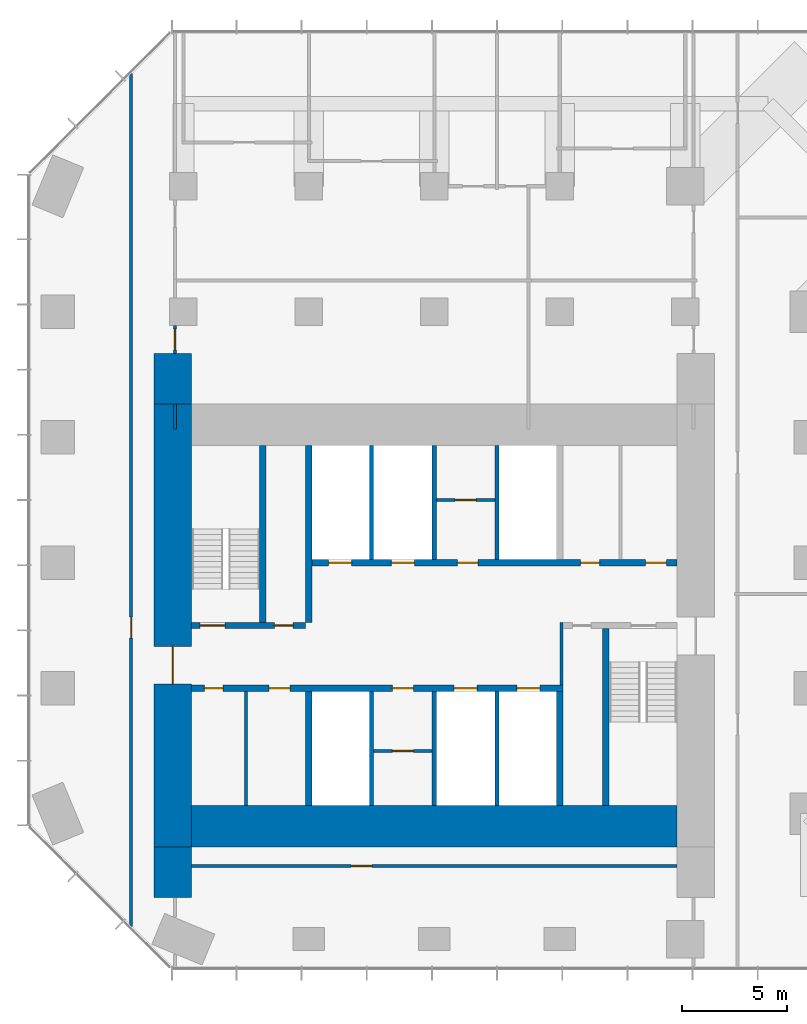
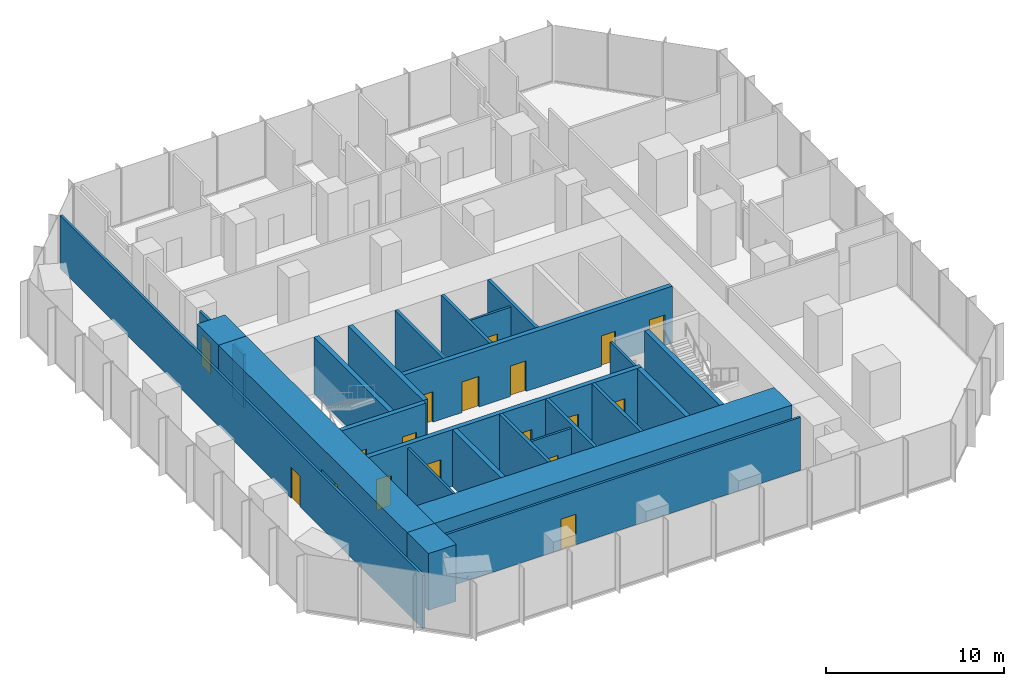
# One storey, part 8 of 11: 26 walls, 18 doors, 18 openings.
"""IFC4 building model written with IfcOpenShell, lengths in metres."""

from ifc_helpers import new_model, si_unit, direction, frame, frame_2d, origin, place, context, subcontext, project, spatial, rectangle, extrude, material, layer, layer_set, type_object, element, fill, save


model = new_model("IFC4")

# Units and contexts
model_context = context("Model", 3, precision=1e-05, world=origin(), true_north=direction((0.0, 1.0)))
body_context = subcontext(model_context, "Body", "Model", "MODEL_VIEW")
ifc_project = project(units=[si_unit("LENGTHUNIT", "METRE"), si_unit("AREAUNIT", "SQUARE_METRE"), si_unit("VOLUMEUNIT", "CUBIC_METRE"), si_unit("PLANEANGLEUNIT", "RADIAN"), si_unit("MASSUNIT", "GRAM", prefix="KILO")], contexts=[model_context])

# Site, building, storey
site_placement = place(None, origin())
site = spatial("IfcSite", under=ifc_project, at=site_placement, CompositionType="ELEMENT")
building_placement = place(site_placement, origin())
building = spatial("IfcBuilding", under=site, at=building_placement, Name="Highveld Stack Headquarters", CompositionType="ELEMENT")
storey_placement = place(building_placement, frame((0.0, 0.0, 181.10009765625)))
storey = spatial("IfcBuildingStorey", under=building, at=storey_placement, Name="L44", CompositionType="ELEMENT", Elevation=181.10009765625)

# Wall, opening, door
ifc_material_1 = material(Name="Concrete C60/75", Category="concrete")
ifc_layer_1 = layer(ifc_material_1, 1.800048828125)
ifc_layer_set_1 = layer_set([ifc_layer_1], Name="Concrete C60/75")
wall_type_1 = type_object("IfcWallType", Name="CORE WALL 1800 C60/75", PredefinedType="SHEAR", material=ifc_layer_set_1)
wall_1_placement = place(storey_placement, frame((-6.5, -7.60009765625, 0.0), z_axis=(0.0, 0.0, 1.0), x_axis=(0.0, 1.0, 0.0)))
wall_1 = element("IfcWall", 1, at=wall_1_placement, inside=storey, type_object=wall_type_1, Name="Core wall W L44", PredefinedType="SHEAR", context=body_context, shape_type="SweptSolid", body=[
    extrude(rectangle(XDim=21.2001953125, YDim=1.800048828125, at=frame_2d((10.60009765625, 0.0))), origin(), (0.0, 0.0, 1.0), 3.89990234375),
])
opening_1_placement = place(wall_1_placement, frame((7.800048828125, 0.0, 0.0)))
opening_1 = element("IfcOpeningElement", 2, at=opening_1_placement, cuts=wall_1, Name="Opening L44-01", PredefinedType="OPENING", context=body_context, shape_type="SweptSolid", body=[
    extrude(rectangle(XDim=1.800048828125, YDim=2.39990234375, at=frame_2d((0.89990234375, 1.199951171875))), frame((0.0, 0.909912109375, 0.0), z_axis=(0.0, -1.0, 0.0), x_axis=(1.0, 0.0, 0.0)), (0.0, 0.0, 1.0), 1.820068359375),
])
ifc_material_2 = material(Name="Steel fire door", Category="steel")
door_type_1 = type_object("IfcDoorType", Name="LOBBY FIRE DOOR D4 1800x2400", OperationType="DOUBLE_DOOR_SINGLE_SWING", PredefinedType="DOOR", material=ifc_material_2)
door_1_placement = place(opening_1_placement, origin())
door_1 = element("IfcDoor", 3, at=door_1_placement, inside=storey, type_object=door_type_1, Name="Core west door L44", OperationType="DOUBLE_DOOR_SINGLE_SWING", OverallHeight=2.39990234375, OverallWidth=1.800048828125, PredefinedType="DOOR", context=body_context, shape_type="SweptSolid", body=[
    extrude(rectangle(XDim=1.800048828125, YDim=2.39990234375, at=frame_2d((0.89990234375, 1.199951171875))), frame((0.0, 0.02490234375, 0.0), z_axis=(0.0, -1.0, 0.0), x_axis=(1.0, 0.0, 0.0)), (0.0, 0.0, 1.0), 0.050048828125),
])
fill(opening_1, door_1)

# Wall
ifc_material_3 = material(Name="Concrete C60/75", Category="concrete")
ifc_layer_2 = layer(ifc_material_3, 2.0)
ifc_layer_set_2 = layer_set([ifc_layer_2], Name="Concrete C60/75")
wall_type_2 = type_object("IfcWallType", Name="CORE WALL 2000 C60/75", PredefinedType="SHEAR", material=ifc_layer_set_2)
wall_2_placement = place(storey_placement, frame((-5.60009765625, -6.60009765625, 0.0), z_axis=(0.0, 0.0, 1.0), x_axis=(1.0, 0.0, 0.0)))
element("IfcWall", 4, at=wall_2_placement, inside=storey, type_object=wall_type_2, Name="Core wall S L44", PredefinedType="SHEAR", context=body_context, shape_type="SweptSolid", body=[
    extrude(rectangle(XDim=23.2001953125, YDim=2.0, at=frame_2d((11.60009765625, 0.0))), origin(), (0.0, 0.0, 1.0), 3.89990234375),
])

# Wall, openings, doors
ifc_material_4 = material(Name="Concrete C60/75", Category="concrete")
ifc_layer_3 = layer(ifc_material_4, 0.300048828125)
ifc_layer_set_3 = layer_set([ifc_layer_3], Name="Concrete C60/75")
wall_type_3 = type_object("IfcWallType", Name="CORE WALL 300 C60/75", PredefinedType="SHEAR", material=ifc_layer_set_3)
wall_3_placement = place(storey_placement, frame((-5.60009765625, 0.0, 0.0), z_axis=(0.0, 0.0, 1.0), x_axis=(1.0, 0.0, 0.0)))
wall_3 = element("IfcWall", 5, at=wall_3_placement, inside=storey, type_object=wall_type_3, Name="Core wall I-Y0 L44", PredefinedType="SHEAR", context=body_context, shape_type="SweptSolid", body=[
    extrude(rectangle(XDim=17.75, YDim=0.300048828125, at=frame_2d((8.875, 0.0))), origin(), (0.0, 0.0, 1.0), 3.89990234375),
])
opening_2_placement = place(wall_3_placement, frame((0.60009765625, 0.0, 0.0)))
opening_2 = element("IfcOpeningElement", 6, at=opening_2_placement, cuts=wall_3, Name="Opening L44-07", PredefinedType="OPENING", context=body_context, shape_type="SweptSolid", body=[
    extrude(rectangle(XDim=0.89990234375, YDim=2.10009765625, at=frame_2d((0.449951171875, 1.050048828125))), frame((0.0, 0.159912109375, 0.0), z_axis=(0.0, -1.0, 0.0), x_axis=(1.0, 0.0, 0.0)), (0.0, 0.0, 1.0), 0.320068359375),
])
opening_3_placement = place(wall_3_placement, frame((3.699951171875, 0.0, 0.0)))
opening_3 = element("IfcOpeningElement", 7, at=opening_3_placement, cuts=wall_3, Name="Opening L44-08", PredefinedType="OPENING", context=body_context, shape_type="SweptSolid", body=[
    extrude(rectangle(XDim=1.0, YDim=2.10009765625, at=frame_2d((0.5, 1.050048828125))), frame((0.0, 0.159912109375, 0.0), z_axis=(0.0, -1.0, 0.0), x_axis=(1.0, 0.0, 0.0)), (0.0, 0.0, 1.0), 0.320068359375),
])
opening_4_placement = place(wall_3_placement, frame((9.60009765625, 0.0, 0.0)))
opening_4 = element("IfcOpeningElement", 8, at=opening_4_placement, cuts=wall_3, Name="Opening L44-14", PredefinedType="OPENING", context=body_context, shape_type="SweptSolid", body=[
    extrude(rectangle(XDim=1.0, YDim=2.10009765625, at=frame_2d((0.5, 1.050048828125))), frame((0.0, 0.159912109375, 0.0), z_axis=(0.0, -1.0, 0.0), x_axis=(1.0, 0.0, 0.0)), (0.0, 0.0, 1.0), 0.320068359375),
])
opening_5_placement = place(wall_3_placement, frame((12.550048828125, 0.0, 0.0)))
opening_5 = element("IfcOpeningElement", 9, at=opening_5_placement, cuts=wall_3, Name="Opening LD", PredefinedType="OPENING", context=body_context, shape_type="SweptSolid", body=[
    extrude(rectangle(XDim=1.10009765625, YDim=2.10009765625, at=frame_2d((0.550048828125, 1.050048828125))), frame((0.0, 0.159912109375, 0.0), z_axis=(0.0, -1.0, 0.0), x_axis=(1.0, 0.0, 0.0)), (0.0, 0.0, 1.0), 0.320068359375),
])
opening_6_placement = place(wall_3_placement, frame((15.550048828125, 0.0, 0.0)))
opening_6 = element("IfcOpeningElement", 10, at=opening_6_placement, cuts=wall_3, Name="Opening LD", PredefinedType="OPENING", context=body_context, shape_type="SweptSolid", body=[
    extrude(rectangle(XDim=1.10009765625, YDim=2.10009765625, at=frame_2d((0.550048828125, 1.050048828125))), frame((0.0, 0.159912109375, 0.0), z_axis=(0.0, -1.0, 0.0), x_axis=(1.0, 0.0, 0.0)), (0.0, 0.0, 1.0), 0.320068359375),
])
ifc_material_5 = material(Name="Steel fire door", Category="steel")
door_type_2 = type_object("IfcDoorType", Name="CORE ROOM FIRE DOOR D14 1000x2100", OperationType="SINGLE_SWING_LEFT", PredefinedType="DOOR", material=ifc_material_5)
door_2_placement = place(opening_3_placement, origin())
door_2 = element("IfcDoor", 11, at=door_2_placement, inside=storey, type_object=door_type_2, Name="Cleaners store door L44", OperationType="SINGLE_SWING_LEFT", OverallHeight=2.10009765625, OverallWidth=1.0, PredefinedType="DOOR", context=body_context, shape_type="SweptSolid", body=[
    extrude(rectangle(XDim=1.0, YDim=2.10009765625, at=frame_2d((0.5, 1.050048828125))), frame((0.0, 0.02490234375, 0.0), z_axis=(0.0, -1.0, 0.0), x_axis=(1.0, 0.0, 0.0)), (0.0, 0.0, 1.0), 0.050048828125),
])
fill(opening_3, door_2)
door_3_placement = place(opening_4_placement, origin())
door_3 = element("IfcDoor", 12, at=door_3_placement, inside=storey, type_object=door_type_2, Name="Capped B 1 door L44", OperationType="SINGLE_SWING_RIGHT", OverallHeight=2.10009765625, OverallWidth=1.0, PredefinedType="DOOR", context=body_context, shape_type="SweptSolid", body=[
    extrude(rectangle(XDim=1.0, YDim=2.10009765625, at=frame_2d((0.5, 1.050048828125))), frame((0.0, 0.02490234375, 0.0), z_axis=(0.0, -1.0, 0.0), x_axis=(1.0, 0.0, 0.0)), (0.0, 0.0, 1.0), 0.050048828125),
])
fill(opening_4, door_3)
ifc_material_6 = material(Name="Stainless steel lift landing door", Category="steel")
door_type_3 = type_object("IfcDoorType", Name="LIFT LANDING DOOR LD 1100x2100", OperationType="DOUBLE_DOOR_SLIDING", PredefinedType="USERDEFINED", material=ifc_material_6)
door_4_placement = place(opening_5_placement, origin())
door_4 = element("IfcDoor", 13, at=door_4_placement, inside=storey, type_object=door_type_3, Name="Lift landing door C1 L44", ObjectType="LIFT LANDING DOOR", OperationType="DOUBLE_DOOR_SLIDING", OverallHeight=2.10009765625, OverallWidth=1.10009765625, PredefinedType="USERDEFINED", context=body_context, shape_type="SweptSolid", body=[
    extrude(rectangle(XDim=1.10009765625, YDim=2.10009765625, at=frame_2d((0.550048828125, 1.050048828125))), frame((0.0, 0.02490234375, 0.0), z_axis=(0.0, -1.0, 0.0), x_axis=(1.0, 0.0, 0.0)), (0.0, 0.0, 1.0), 0.050048828125),
])
fill(opening_5, door_4)
door_5_placement = place(opening_6_placement, origin())
door_5 = element("IfcDoor", 14, at=door_5_placement, inside=storey, type_object=door_type_3, Name="Lift landing door C2 L44", ObjectType="LIFT LANDING DOOR", OperationType="DOUBLE_DOOR_SLIDING", OverallHeight=2.10009765625, OverallWidth=1.10009765625, PredefinedType="USERDEFINED", context=body_context, shape_type="SweptSolid", body=[
    extrude(rectangle(XDim=1.10009765625, YDim=2.10009765625, at=frame_2d((0.550048828125, 1.050048828125))), frame((0.0, 0.02490234375, 0.0), z_axis=(0.0, -1.0, 0.0), x_axis=(1.0, 0.0, 0.0)), (0.0, 0.0, 1.0), 0.050048828125),
])
fill(opening_6, door_5)
ifc_material_7 = material(Name="Timber door, painted", Category="wood")
door_type_4 = type_object("IfcDoorType", Name="WC DOOR D1 900x2100", OperationType="SINGLE_SWING_LEFT", PredefinedType="DOOR", material=ifc_material_7)
door_6_placement = place(opening_2_placement, origin())
door_6 = element("IfcDoor", 15, at=door_6_placement, inside=storey, type_object=door_type_4, Name="Female WC door L44", OperationType="SINGLE_SWING_LEFT", OverallHeight=2.10009765625, OverallWidth=0.89990234375, PredefinedType="DOOR", context=body_context, shape_type="SweptSolid", body=[
    extrude(rectangle(XDim=0.89990234375, YDim=2.10009765625, at=frame_2d((0.449951171875, 1.050048828125))), frame((0.0, 0.02490234375, 0.0), z_axis=(0.0, -1.0, 0.0), x_axis=(1.0, 0.0, 0.0)), (0.0, 0.0, 1.0), 0.050048828125),
])
fill(opening_2, door_6)

wall_4_placement = place(storey_placement, frame((-5.60009765625, 3.0, 0.0), z_axis=(0.0, 0.0, 1.0), x_axis=(1.0, 0.0, 0.0)))
wall_4 = element("IfcWall", 16, at=wall_4_placement, inside=storey, type_object=wall_type_3, Name="Core wall I-Y3W L44", PredefinedType="SHEAR", context=body_context, shape_type="SweptSolid", body=[
    extrude(rectangle(XDim=5.4501953125, YDim=0.300048828125, at=frame_2d((2.72509765625, 0.0))), origin(), (0.0, 0.0, 1.0), 3.89990234375),
])
opening_7_placement = place(wall_4_placement, frame((0.39990234375, 0.0, 0.0)))
opening_7 = element("IfcOpeningElement", 17, at=opening_7_placement, cuts=wall_4, Name="Opening L44-03", PredefinedType="OPENING", context=body_context, shape_type="SweptSolid", body=[
    extrude(rectangle(XDim=1.199951171875, YDim=2.10009765625, at=frame_2d((0.60009765625, 1.050048828125))), frame((0.0, 0.159912109375, 0.0), z_axis=(0.0, -1.0, 0.0), x_axis=(1.0, 0.0, 0.0)), (0.0, 0.0, 1.0), 0.320068359375),
])
opening_8_placement = place(wall_4_placement, frame((3.949951171875, 0.0, 0.0)))
opening_8 = element("IfcOpeningElement", 18, at=opening_8_placement, cuts=wall_4, Name="Opening L44-04", PredefinedType="OPENING", context=body_context, shape_type="SweptSolid", body=[
    extrude(rectangle(XDim=0.89990234375, YDim=2.10009765625, at=frame_2d((0.449951171875, 1.050048828125))), frame((0.0, 0.159912109375, 0.0), z_axis=(0.0, -1.0, 0.0), x_axis=(1.0, 0.0, 0.0)), (0.0, 0.0, 1.0), 0.320068359375),
])
ifc_material_8 = material(Name="Steel fire door", Category="steel")
door_type_5 = type_object("IfcDoorType", Name="RISER ACCESS DOOR D5 900x2100", OperationType="SINGLE_SWING_LEFT", PredefinedType="DOOR", material=ifc_material_8)
door_7_placement = place(opening_8_placement, origin())
door_7 = element("IfcDoor", 19, at=door_7_placement, inside=storey, type_object=door_type_5, Name="Riser R1 door L44", OperationType="SINGLE_SWING_RIGHT", OverallHeight=2.10009765625, OverallWidth=0.89990234375, PredefinedType="DOOR", context=body_context, shape_type="SweptSolid", body=[
    extrude(rectangle(XDim=0.89990234375, YDim=2.10009765625, at=frame_2d((0.449951171875, 1.050048828125))), frame((0.0, 0.02490234375, 0.0), z_axis=(0.0, -1.0, 0.0), x_axis=(1.0, 0.0, 0.0)), (0.0, 0.0, 1.0), 0.050048828125),
])
fill(opening_8, door_7)
ifc_material_9 = material(Name="Steel fire door", Category="steel")
door_type_6 = type_object("IfcDoorType", Name="STAIR FIRE DOOR D3 1200x2100", OperationType="SINGLE_SWING_LEFT", PredefinedType="DOOR", material=ifc_material_9)
door_8_placement = place(opening_7_placement, origin())
door_8 = element("IfcDoor", 20, at=door_8_placement, inside=storey, type_object=door_type_6, Name="Stair S1 door L44", OperationType="SINGLE_SWING_LEFT", OverallHeight=2.10009765625, OverallWidth=1.199951171875, PredefinedType="DOOR", context=body_context, shape_type="SweptSolid", body=[
    extrude(rectangle(XDim=1.199951171875, YDim=2.10009765625, at=frame_2d((0.60009765625, 1.050048828125))), frame((0.0, 0.02490234375, 0.0), z_axis=(0.0, -1.0, 0.0), x_axis=(1.0, 0.0, 0.0)), (0.0, 0.0, 1.0), 0.050048828125),
])
fill(opening_7, door_8)

wall_5_placement = place(storey_placement, frame((-0.14990234375, 6.0, 0.0), z_axis=(0.0, 0.0, 1.0), x_axis=(1.0, 0.0, 0.0)))
wall_5 = element("IfcWall", 21, at=wall_5_placement, inside=storey, type_object=wall_type_3, Name="Core wall I-Y6 L44", PredefinedType="SHEAR", context=body_context, shape_type="SweptSolid", body=[
    extrude(rectangle(XDim=17.75, YDim=0.300048828125, at=frame_2d((8.875, 0.0))), origin(), (0.0, 0.0, 1.0), 3.89990234375),
])
opening_9_placement = place(wall_5_placement, frame((13.14990234375, 0.0, 0.0)))
opening_9 = element("IfcOpeningElement", 22, at=opening_9_placement, cuts=wall_5, Name="Opening L44-09", PredefinedType="OPENING", context=body_context, shape_type="SweptSolid", body=[
    extrude(rectangle(XDim=0.89990234375, YDim=2.10009765625, at=frame_2d((0.449951171875, 1.050048828125))), frame((0.0, 0.159912109375, 0.0), z_axis=(0.0, -1.0, 0.0), x_axis=(1.0, 0.0, 0.0)), (0.0, 0.0, 1.0), 0.320068359375),
])
opening_10_placement = place(wall_5_placement, frame((16.25, 0.0, 0.0)))
opening_10 = element("IfcOpeningElement", 23, at=opening_10_placement, cuts=wall_5, Name="Opening L44-10", PredefinedType="OPENING", context=body_context, shape_type="SweptSolid", body=[
    extrude(rectangle(XDim=1.0, YDim=2.10009765625, at=frame_2d((0.5, 1.050048828125))), frame((0.0, 0.159912109375, 0.0), z_axis=(0.0, -1.0, 0.0), x_axis=(1.0, 0.0, 0.0)), (0.0, 0.0, 1.0), 0.320068359375),
])
opening_11_placement = place(wall_5_placement, frame((7.25, 0.0, 0.0)))
opening_11 = element("IfcOpeningElement", 24, at=opening_11_placement, cuts=wall_5, Name="Opening L44-12", PredefinedType="OPENING", context=body_context, shape_type="SweptSolid", body=[
    extrude(rectangle(XDim=1.0, YDim=2.10009765625, at=frame_2d((0.5, 1.050048828125))), frame((0.0, 0.159912109375, 0.0), z_axis=(0.0, -1.0, 0.0), x_axis=(1.0, 0.0, 0.0)), (0.0, 0.0, 1.0), 0.320068359375),
])
opening_12_placement = place(wall_5_placement, frame((1.10009765625, 0.0, 0.0)))
opening_12 = element("IfcOpeningElement", 25, at=opening_12_placement, cuts=wall_5, Name="Opening LD", PredefinedType="OPENING", context=body_context, shape_type="SweptSolid", body=[
    extrude(rectangle(XDim=1.10009765625, YDim=2.10009765625, at=frame_2d((0.550048828125, 1.050048828125))), frame((0.0, 0.159912109375, 0.0), z_axis=(0.0, -1.0, 0.0), x_axis=(1.0, 0.0, 0.0)), (0.0, 0.0, 1.0), 0.320068359375),
])
opening_13_placement = place(wall_5_placement, frame((4.10009765625, 0.0, 0.0)))
opening_13 = element("IfcOpeningElement", 26, at=opening_13_placement, cuts=wall_5, Name="Opening LD", PredefinedType="OPENING", context=body_context, shape_type="SweptSolid", body=[
    extrude(rectangle(XDim=1.10009765625, YDim=2.10009765625, at=frame_2d((0.550048828125, 1.050048828125))), frame((0.0, 0.159912109375, 0.0), z_axis=(0.0, -1.0, 0.0), x_axis=(1.0, 0.0, 0.0)), (0.0, 0.0, 1.0), 0.320068359375),
])
ifc_material_10 = material(Name="Timber door, painted", Category="wood")
door_type_7 = type_object("IfcDoorType", Name="ACCESSIBLE WC DOOR D2 1000x2100", OperationType="SINGLE_SWING_RIGHT", PredefinedType="DOOR", material=ifc_material_10)
door_9_placement = place(opening_10_placement, origin())
door_9 = element("IfcDoor", 27, at=door_9_placement, inside=storey, type_object=door_type_7, Name="Accessible WC door L44", OperationType="SINGLE_SWING_RIGHT", OverallHeight=2.10009765625, OverallWidth=1.0, PredefinedType="DOOR", context=body_context, shape_type="SweptSolid", body=[
    extrude(rectangle(XDim=1.0, YDim=2.10009765625, at=frame_2d((0.5, 1.050048828125))), frame((0.0, 0.02490234375, 0.0), z_axis=(0.0, -1.0, 0.0), x_axis=(1.0, 0.0, 0.0)), (0.0, 0.0, 1.0), 0.050048828125),
])
fill(opening_10, door_9)
door_10_placement = place(opening_11_placement, origin())
door_10 = element("IfcDoor", 28, at=door_10_placement, inside=storey, type_object=door_type_2, Name="Capped A 1 door L44", OperationType="SINGLE_SWING_LEFT", OverallHeight=2.10009765625, OverallWidth=1.0, PredefinedType="DOOR", context=body_context, shape_type="SweptSolid", body=[
    extrude(rectangle(XDim=1.0, YDim=2.10009765625, at=frame_2d((0.5, 1.050048828125))), frame((0.0, 0.02490234375, 0.0), z_axis=(0.0, -1.0, 0.0), x_axis=(1.0, 0.0, 0.0)), (0.0, 0.0, 1.0), 0.050048828125),
])
fill(opening_11, door_10)
door_11_placement = place(opening_12_placement, origin())
door_11 = element("IfcDoor", 29, at=door_11_placement, inside=storey, type_object=door_type_3, Name="Lift landing door FF1 L44", ObjectType="LIFT LANDING DOOR", OperationType="DOUBLE_DOOR_SLIDING", OverallHeight=2.10009765625, OverallWidth=1.10009765625, PredefinedType="USERDEFINED", context=body_context, shape_type="SweptSolid", body=[
    extrude(rectangle(XDim=1.10009765625, YDim=2.10009765625, at=frame_2d((0.550048828125, 1.050048828125))), frame((0.0, 0.02490234375, 0.0), z_axis=(0.0, -1.0, 0.0), x_axis=(1.0, 0.0, 0.0)), (0.0, 0.0, 1.0), 0.050048828125),
])
fill(opening_12, door_11)
door_12_placement = place(opening_13_placement, origin())
door_12 = element("IfcDoor", 30, at=door_12_placement, inside=storey, type_object=door_type_3, Name="Lift landing door FF2 L44", ObjectType="LIFT LANDING DOOR", OperationType="DOUBLE_DOOR_SLIDING", OverallHeight=2.10009765625, OverallWidth=1.10009765625, PredefinedType="USERDEFINED", context=body_context, shape_type="SweptSolid", body=[
    extrude(rectangle(XDim=1.10009765625, YDim=2.10009765625, at=frame_2d((0.550048828125, 1.050048828125))), frame((0.0, 0.02490234375, 0.0), z_axis=(0.0, -1.0, 0.0), x_axis=(1.0, 0.0, 0.0)), (0.0, 0.0, 1.0), 0.050048828125),
])
fill(opening_13, door_12)
door_13_placement = place(opening_9_placement, origin())
door_13 = element("IfcDoor", 31, at=door_13_placement, inside=storey, type_object=door_type_4, Name="Male WC door L44", OperationType="SINGLE_SWING_RIGHT", OverallHeight=2.10009765625, OverallWidth=0.89990234375, PredefinedType="DOOR", context=body_context, shape_type="SweptSolid", body=[
    extrude(rectangle(XDim=0.89990234375, YDim=2.10009765625, at=frame_2d((0.449951171875, 1.050048828125))), frame((0.0, 0.02490234375, 0.0), z_axis=(0.0, -1.0, 0.0), x_axis=(1.0, 0.0, 0.0)), (0.0, 0.0, 1.0), 0.050048828125),
])
fill(opening_9, door_13)

# Walls
wall_6_placement = place(storey_placement, frame((0.0, -5.60009765625, 0.0), z_axis=(0.0, 0.0, 1.0), x_axis=(0.0, 1.0, 0.0)))
element("IfcWall", 32, at=wall_6_placement, inside=storey, type_object=wall_type_3, Name="Core wall I-X0S L44", PredefinedType="SHEAR", context=body_context, shape_type="SweptSolid", body=[
    extrude(rectangle(XDim=5.4501953125, YDim=0.300048828125, at=frame_2d((2.72509765625, 0.0))), origin(), (0.0, 0.0, 1.0), 3.89990234375),
])
wall_7_placement = place(storey_placement, frame((0.0, 3.14990234375, 0.0), z_axis=(0.0, 0.0, 1.0), x_axis=(0.0, 1.0, 0.0)))
element("IfcWall", 33, at=wall_7_placement, inside=storey, type_object=wall_type_3, Name="Core wall I-X0N L44", PredefinedType="SHEAR", context=body_context, shape_type="SweptSolid", body=[
    extrude(rectangle(XDim=8.4501953125, YDim=0.300048828125, at=frame_2d((4.22509765625, 0.0))), origin(), (0.0, 0.0, 1.0), 3.89990234375),
])
wall_8_placement = place(storey_placement, frame((12.0, -5.60009765625, 0.0), z_axis=(0.0, 0.0, 1.0), x_axis=(0.0, 1.0, 0.0)))
element("IfcWall", 34, at=wall_8_placement, inside=storey, type_object=wall_type_3, Name="Core wall I-X12S L44", PredefinedType="SHEAR", context=body_context, shape_type="SweptSolid", body=[
    extrude(rectangle(XDim=5.4501953125, YDim=0.300048828125, at=frame_2d((2.72509765625, 0.0))), origin(), (0.0, 0.0, 1.0), 3.89990234375),
])
for number, where, z_axis, x_axis, name in (
    (35, (-2.199951171875, 3.14990234375, 0.0), (0.0, 0.0, 1.0), (0.0, 1.0, 0.0), "Core wall I-RW L44"),
    (36, (14.199951171875, -5.60009765625, 0.0), (0.0, 0.0, 1.0), (0.0, 1.0, 0.0), "Core wall I-RE L44"),
):
    element("IfcWall", number, at=place(storey_placement, frame(where, z_axis=z_axis, x_axis=x_axis)), inside=storey, type_object=wall_type_3, Name=name, PredefinedType="SHEAR", context=body_context, shape_type="SweptSolid", body=[
        extrude(rectangle(XDim=8.4501953125, YDim=0.300048828125, at=frame_2d((4.22509765625, 0.0))), origin(), (0.0, 0.0, 1.0), 3.89990234375),
    ])
ifc_material_11 = material(Name="Concrete C60/75", Category="concrete")
ifc_layer_4 = layer(ifc_material_11, 1.800048828125)
ifc_layer_set_4 = layer_set([ifc_layer_4], Name="Concrete C60/75")
wall_type_4 = type_object("IfcWallType", Name="CORE WING WALL 1800 C60/75", PredefinedType="SHEAR", material=ifc_layer_set_4)
for number, where, z_axis, x_axis, name in (
    (37, (-6.5, -10.0, 0.0), (0.0, 0.0, 1.0), (0.0, 1.0, 0.0), "Core wing wall WS L44"),
    (38, (-6.5, 13.60009765625, 0.0), (0.0, 0.0, 1.0), (0.0, 1.0, 0.0), "Core wing wall WN L44"),
):
    element("IfcWall", number, at=place(storey_placement, frame(where, z_axis=z_axis, x_axis=x_axis)), inside=storey, type_object=wall_type_4, Name=name, PredefinedType="SHEAR", context=body_context, shape_type="SweptSolid", body=[
        extrude(rectangle(XDim=2.39990234375, YDim=1.800048828125, at=frame_2d((1.199951171875, 0.0))), origin(), (0.0, 0.0, 1.0), 3.89990234375),
    ])

# Wall, opening, door
ifc_material_12 = material(Name="Concrete blockwork, plastered", Category="masonry")
ifc_layer_5 = layer(ifc_material_12, 0.14990234375)
ifc_layer_set_5 = layer_set([ifc_layer_5], Name="Concrete blockwork, plastered")
wall_type_5 = type_object("IfcWallType", Name="FIRE PARTITION 150 BLOCKWORK", PredefinedType="PARTITIONING", material=ifc_layer_set_5)
wall_9_placement = place(storey_placement, frame((6.10009765625, 9.0, 0.0), z_axis=(0.0, 0.0, 1.0), x_axis=(1.0, 0.0, 0.0)))
wall_9 = element("IfcWall", 39, at=wall_9_placement, inside=storey, type_object=wall_type_5, Name="Core room partition L44", PredefinedType="PARTITIONING", context=body_context, shape_type="SweptSolid", body=[
    extrude(rectangle(XDim=2.7998046875, YDim=0.14990234375, at=frame_2d((1.39990234375, 0.0))), origin(), (0.0, 0.0, 1.0), 3.64990234375),
])
opening_14_placement = place(wall_9_placement, frame((0.89990234375, 0.0, 0.0)))
opening_14 = element("IfcOpeningElement", 40, at=opening_14_placement, cuts=wall_9, Name="Opening L44-11", PredefinedType="OPENING", context=body_context, shape_type="SweptSolid", body=[
    extrude(rectangle(XDim=1.0, YDim=2.10009765625, at=frame_2d((0.5, 1.050048828125))), frame((0.0, 0.0849609375, 0.0), z_axis=(0.0, -1.0, 0.0), x_axis=(1.0, 0.0, 0.0)), (0.0, 0.0, 1.0), 0.169921875),
])
door_14_placement = place(opening_14_placement, origin())
door_14 = element("IfcDoor", 41, at=door_14_placement, inside=storey, type_object=door_type_2, Name="Capped A 2 door L44", OperationType="SINGLE_SWING_LEFT", OverallHeight=2.10009765625, OverallWidth=1.0, PredefinedType="DOOR", context=body_context, shape_type="SweptSolid", body=[
    extrude(rectangle(XDim=1.0, YDim=2.10009765625, at=frame_2d((0.5, 1.050048828125))), frame((0.0, 0.02490234375, 0.0), z_axis=(0.0, -1.0, 0.0), x_axis=(1.0, 0.0, 0.0)), (0.0, 0.0, 1.0), 0.050048828125),
])
fill(opening_14, door_14)

wall_10_placement = place(storey_placement, frame((3.10009765625, -3.0, 0.0), z_axis=(0.0, 0.0, 1.0), x_axis=(1.0, 0.0, 0.0)))
wall_10 = element("IfcWall", 42, at=wall_10_placement, inside=storey, type_object=wall_type_5, Name="Core room partition L44", PredefinedType="PARTITIONING", context=body_context, shape_type="SweptSolid", body=[
    extrude(rectangle(XDim=2.7998046875, YDim=0.14990234375, at=frame_2d((1.39990234375, 0.0))), origin(), (0.0, 0.0, 1.0), 3.64990234375),
])
opening_15_placement = place(wall_10_placement, frame((0.89990234375, 0.0, 0.0)))
opening_15 = element("IfcOpeningElement", 43, at=opening_15_placement, cuts=wall_10, Name="Opening L44-13", PredefinedType="OPENING", context=body_context, shape_type="SweptSolid", body=[
    extrude(rectangle(XDim=1.0, YDim=2.10009765625, at=frame_2d((0.5, 1.050048828125))), frame((0.0, 0.0849609375, 0.0), z_axis=(0.0, -1.0, 0.0), x_axis=(1.0, 0.0, 0.0)), (0.0, 0.0, 1.0), 0.169921875),
])
door_15_placement = place(opening_15_placement, origin())
door_15 = element("IfcDoor", 44, at=door_15_placement, inside=storey, type_object=door_type_2, Name="Capped B 2 door L44", OperationType="SINGLE_SWING_LEFT", OverallHeight=2.10009765625, OverallWidth=1.0, PredefinedType="DOOR", context=body_context, shape_type="SweptSolid", body=[
    extrude(rectangle(XDim=1.0, YDim=2.10009765625, at=frame_2d((0.5, 1.050048828125))), frame((0.0, 0.02490234375, 0.0), z_axis=(0.0, -1.0, 0.0), x_axis=(1.0, 0.0, 0.0)), (0.0, 0.0, 1.0), 0.050048828125),
])
fill(opening_15, door_15)

# Walls
wall_11_placement = place(storey_placement, frame((12.074951171875, 0.14990234375, 0.0), z_axis=(0.0, 0.0, 1.0), x_axis=(0.0, 1.0, 0.0)))
element("IfcWall", 45, at=wall_11_placement, inside=storey, type_object=wall_type_5, Name="Riser R2 enclosure L44", PredefinedType="PARTITIONING", context=body_context, shape_type="SweptSolid", body=[
    extrude(rectangle(XDim=3.0, YDim=0.14990234375, at=frame_2d((1.5, 0.0))), origin(), (0.0, 0.0, 1.0), 3.64990234375),
])
ifc_material_13 = material(Name="Concrete blockwork, fair-faced", Category="masonry")
ifc_layer_6 = layer(ifc_material_13, 0.199951171875)
ifc_layer_set_6 = layer_set([ifc_layer_6], Name="Concrete blockwork, fair-faced")
wall_type_6 = type_object("IfcWallType", Name="LIFT SHAFT ENCLOSURE WALL 200 BLOCKWORK", PredefinedType="SOLIDWALL", material=ifc_layer_set_6)
for number, where, z_axis, x_axis, name in (
    (46, (3.0, 6.14990234375, 0.0), (0.0, 0.0, 1.0), (0.0, 1.0, 0.0), "Lift shaft wall L44"),
    (47, (6.0, 6.14990234375, 0.0), (0.0, 0.0, 1.0), (0.0, 1.0, 0.0), "Lift shaft wall L44"),
    (48, (9.0, 6.14990234375, 0.0), (0.0, 0.0, 1.0), (0.0, 1.0, 0.0), "Lift shaft wall L44"),
    (49, (3.0, -5.60009765625, 0.0), (0.0, 0.0, 1.0), (0.0, 1.0, 0.0), "Lift shaft wall L44"),
    (50, (6.0, -5.60009765625, 0.0), (0.0, 0.0, 1.0), (0.0, 1.0, 0.0), "Lift shaft wall L44"),
    (51, (9.0, -5.60009765625, 0.0), (0.0, 0.0, 1.0), (0.0, 1.0, 0.0), "Lift shaft wall L44"),
):
    element("IfcWall", number, at=place(storey_placement, frame(where, z_axis=z_axis, x_axis=x_axis)), inside=storey, type_object=wall_type_6, Name=name, PredefinedType="SOLIDWALL", context=body_context, shape_type="SweptSolid", body=[
        extrude(rectangle(XDim=5.4501953125, YDim=0.199951171875, at=frame_2d((2.72509765625, 0.0))), origin(), (0.0, 0.0, 1.0), 3.89990234375),
    ])

# Wall, opening, door
ifc_material_14 = material(Name="Gypsum plasterboard on steel studs", Category="steel")
ifc_layer_7 = layer(ifc_material_14, 0.14990234375)
ifc_layer_set_7 = layer_set([ifc_layer_7], Name="Gypsum plasterboard on steel studs")
wall_type_7 = type_object("IfcWallType", Name="PARTITION 150 PLASTERBOARD", PredefinedType="PARTITIONING", material=ifc_layer_set_7)
wall_12_placement = place(storey_placement, frame((-8.5, -11.387939453125, 0.0), z_axis=(0.0, 0.0, 1.0), x_axis=(0.0, 1.0, 0.0)))
wall_12 = element("IfcWall", 52, at=wall_12_placement, inside=storey, type_object=wall_type_7, Name="Partition office neighbourhood L44", PredefinedType="PARTITIONING", context=body_context, shape_type="SweptSolid", body=[
    extrude(rectangle(XDim=40.77587890625, YDim=0.14990234375, at=frame_2d((20.387939453125, 0.0))), origin(), (0.0, 0.0, 1.0), 3.64990234375),
])
opening_16_placement = place(wall_12_placement, frame((13.787109375, 0.0, 0.0)))
opening_16 = element("IfcOpeningElement", 53, at=opening_16_placement, cuts=wall_12, Name="Opening L44-23", PredefinedType="OPENING", context=body_context, shape_type="SweptSolid", body=[
    extrude(rectangle(XDim=1.0, YDim=2.10009765625, at=frame_2d((0.5, 1.050048828125))), frame((0.0, 0.0849609375, 0.0), z_axis=(0.0, -1.0, 0.0), x_axis=(1.0, 0.0, 0.0)), (0.0, 0.0, 1.0), 0.169921875),
])
ifc_material_15 = material(Name="Timber door, oiled ash", Category="wood")
door_type_8 = type_object("IfcDoorType", Name="ROOM DOOR D6 1000x2100", OperationType="SINGLE_SWING_LEFT", PredefinedType="DOOR", material=ifc_material_15)
door_16_placement = place(opening_16_placement, origin())
door_16 = element("IfcDoor", 54, at=door_16_placement, inside=storey, type_object=door_type_8, Name="Office neighbourhood door L44", OperationType="SINGLE_SWING_LEFT", OverallHeight=2.10009765625, OverallWidth=1.0, PredefinedType="DOOR", context=body_context, shape_type="SweptSolid", body=[
    extrude(rectangle(XDim=1.0, YDim=2.10009765625, at=frame_2d((0.5, 1.050048828125))), frame((0.0, 0.02490234375, 0.0), z_axis=(0.0, -1.0, 0.0), x_axis=(1.0, 0.0, 0.0)), (0.0, 0.0, 1.0), 0.050048828125),
])
fill(opening_16, door_16)

# Wall
wall_13_placement = place(storey_placement, frame((-6.39990234375, 12.39990234375, 0.0), z_axis=(0.0, 0.0, 1.0), x_axis=(0.0, 1.0, 0.0)))
element("IfcWall", 55, at=wall_13_placement, inside=storey, type_object=wall_type_7, Name="Partition office neighbourhood L44", PredefinedType="PARTITIONING", context=body_context, shape_type="SweptSolid", body=[
    extrude(rectangle(XDim=1.2001953125, YDim=0.14990234375, at=frame_2d((0.60009765625, 0.0))), origin(), (0.0, 0.0, 1.0), 3.64990234375),
])

# Wall, opening, door
wall_14_placement = place(storey_placement, frame((-6.39990234375, 16.0, 0.0), z_axis=(0.0, 0.0, 1.0), x_axis=(0.0, 1.0, 0.0)))
wall_14 = element("IfcWall", 56, at=wall_14_placement, inside=storey, type_object=wall_type_7, Name="Partition office neighbourhood L44", PredefinedType="PARTITIONING", context=body_context, shape_type="SweptSolid", body=[
    extrude(rectangle(XDim=1.35009765625, YDim=0.14990234375, at=frame_2d((0.675048828125, 0.0))), origin(), (0.0, 0.0, 1.0), 3.64990234375),
])
opening_17_placement = place(wall_14_placement, frame((0.175048828125, 0.0, 0.0)))
opening_17 = element("IfcOpeningElement", 57, at=opening_17_placement, cuts=wall_14, Name="Opening L44-28", PredefinedType="OPENING", context=body_context, shape_type="SweptSolid", body=[
    extrude(rectangle(XDim=1.0, YDim=2.10009765625, at=frame_2d((0.5, 1.050048828125))), frame((0.0, 0.0849609375, 0.0), z_axis=(0.0, -1.0, 0.0), x_axis=(1.0, 0.0, 0.0)), (0.0, 0.0, 1.0), 0.169921875),
])
door_17_placement = place(opening_17_placement, origin())
door_17 = element("IfcDoor", 58, at=door_17_placement, inside=storey, type_object=door_type_8, Name="Office neighbourhood door L44", OperationType="SINGLE_SWING_RIGHT", OverallHeight=2.10009765625, OverallWidth=1.0, PredefinedType="DOOR", context=body_context, shape_type="SweptSolid", body=[
    extrude(rectangle(XDim=1.0, YDim=2.10009765625, at=frame_2d((0.5, 1.050048828125))), frame((0.0, 0.02490234375, 0.0), z_axis=(0.0, -1.0, 0.0), x_axis=(1.0, 0.0, 0.0)), (0.0, 0.0, 1.0), 0.050048828125),
])
fill(opening_17, door_17)

wall_15_placement = place(storey_placement, frame((17.60009765625, -8.5, 0.0), z_axis=(0.0, 0.0, 1.0), x_axis=(-1.0, 0.0, 0.0)))
wall_15 = element("IfcWall", 59, at=wall_15_placement, inside=storey, type_object=wall_type_7, Name="Partition office neighbourhood L44", PredefinedType="PARTITIONING", context=body_context, shape_type="SweptSolid", body=[
    extrude(rectangle(XDim=23.2001953125, YDim=0.14990234375, at=frame_2d((11.60009765625, 0.0))), origin(), (0.0, 0.0, 1.0), 3.64990234375),
])
opening_18_placement = place(wall_15_placement, frame((14.580078125, 0.0, 0.0)))
opening_18 = element("IfcOpeningElement", 60, at=opening_18_placement, cuts=wall_15, Name="Opening L44-30", PredefinedType="OPENING", context=body_context, shape_type="SweptSolid", body=[
    extrude(rectangle(XDim=1.0, YDim=2.10009765625, at=frame_2d((0.5, 1.050048828125))), frame((0.0, 0.0849609375, 0.0), z_axis=(0.0, -1.0, 0.0), x_axis=(1.0, 0.0, 0.0)), (0.0, 0.0, 1.0), 0.169921875),
])
door_18_placement = place(opening_18_placement, origin())
door_18 = element("IfcDoor", 61, at=door_18_placement, inside=storey, type_object=door_type_8, Name="Office neighbourhood door L44", OperationType="SINGLE_SWING_RIGHT", OverallHeight=2.10009765625, OverallWidth=1.0, PredefinedType="DOOR", context=body_context, shape_type="SweptSolid", body=[
    extrude(rectangle(XDim=1.0, YDim=2.10009765625, at=frame_2d((0.5, 1.050048828125))), frame((0.0, 0.02490234375, 0.0), z_axis=(0.0, -1.0, 0.0), x_axis=(1.0, 0.0, 0.0)), (0.0, 0.0, 1.0), 0.050048828125),
])
fill(opening_18, door_18)

# Wall
ifc_material_16 = material(Name="Concrete blockwork, tiled", Category="masonry")
ifc_layer_8 = layer(ifc_material_16, 0.14990234375)
ifc_layer_set_8 = layer_set([ifc_layer_8], Name="Concrete blockwork, tiled")
wall_type_8 = type_object("IfcWallType", Name="WC PARTITION 150", PredefinedType="PLUMBINGWALL", material=ifc_layer_set_8)
wall_16_placement = place(storey_placement, frame((-3.0, -5.60009765625, 0.0), z_axis=(0.0, 0.0, 1.0), x_axis=(0.0, 1.0, 0.0)))
element("IfcWall", 62, at=wall_16_placement, inside=storey, type_object=wall_type_8, Name="Toilet partition L44", PredefinedType="PLUMBINGWALL", context=body_context, shape_type="SweptSolid", body=[
    extrude(rectangle(XDim=5.4501953125, YDim=0.14990234375, at=frame_2d((2.72509765625, 0.0))), origin(), (0.0, 0.0, 1.0), 3.64990234375),
])

save(model, "model.ifc")
